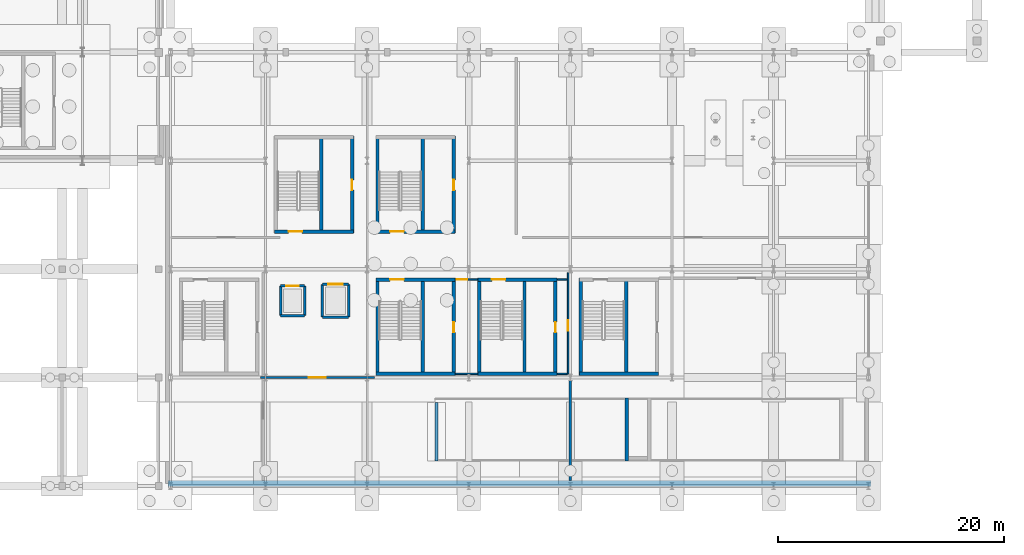
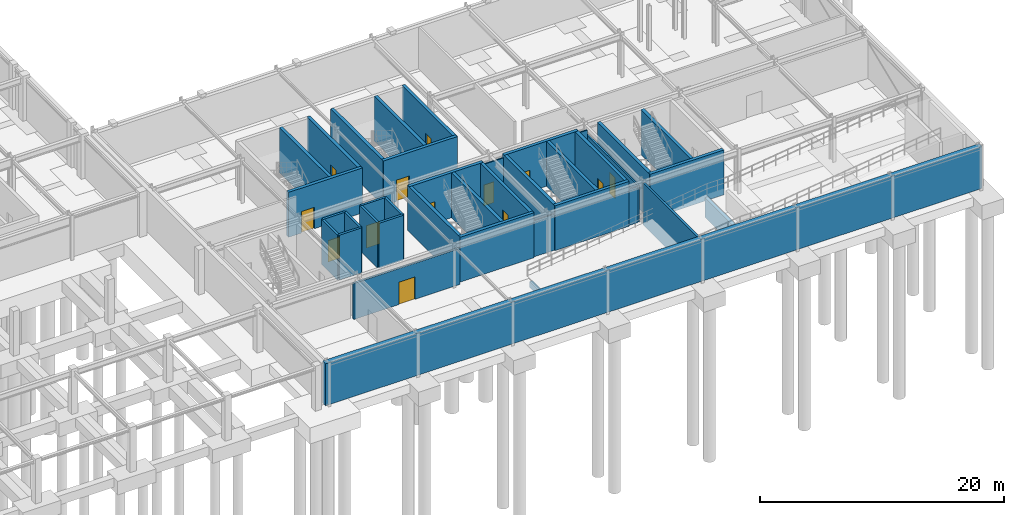
# One storey, part 43 of 59: 38 walls, 13 doors, 13 openings.
"""IFC4 building model written with IfcOpenShell, lengths in metres."""

from ifc_helpers import new_model, si_unit, direction, frame, frame_2d, origin, place, context, subcontext, project, spatial, rectangle, extrude, material, layer, layer_set, type_object, element, fill, save


model = new_model("IFC4")

# Units and contexts
model_context = context("Model", 3, precision=1e-05, world=origin(), true_north=direction((0.0, 1.0)))
body_context = subcontext(model_context, "Body", "Model", "MODEL_VIEW")
ifc_project = project(units=[si_unit("LENGTHUNIT", "METRE"), si_unit("AREAUNIT", "SQUARE_METRE"), si_unit("VOLUMEUNIT", "CUBIC_METRE"), si_unit("PLANEANGLEUNIT", "RADIAN"), si_unit("MASSUNIT", "GRAM", prefix="KILO")], contexts=[model_context])

# Site, building, storey
site_placement = place(None, origin())
site = spatial("IfcSite", under=ifc_project, at=site_placement, CompositionType="ELEMENT")
building_placement = place(site_placement, origin())
building = spatial("IfcBuilding", under=site, at=building_placement, Name="Myrtia Square Station", CompositionType="ELEMENT")
storey_placement = place(building_placement, frame((0.0, 0.0, -4.5)))
storey = spatial("IfcBuildingStorey", under=building, at=storey_placement, Name="B01", CompositionType="ELEMENT", Elevation=-4.5)

# Wall
ifc_material_1 = material(Name="Concrete C35/45", Category="concrete")
ifc_layer_1 = layer(ifc_material_1, 0.300048828125, Name="Concrete C35/45")
ifc_layer_set_1 = layer_set([ifc_layer_1], Name="Concrete C35/45")
wall_type_1 = type_object("IfcWallType", Name="WL-CORE-300", PredefinedType="SHEAR", material=ifc_layer_set_1)
wall_1_placement = place(storey_placement, frame((135.800048828125, 9.925048828125, 0.0), z_axis=(0.0, 0.0, 1.0), x_axis=(1.0, 0.0, 0.0)))
element("IfcWall", 1, at=wall_1_placement, inside=storey, type_object=wall_type_1, Name="Core K6 shear wall B01 S", PredefinedType="SHEAR", context=body_context, shape_type="SweptSolid", body=[
    extrude(rectangle(XDim=7.0, YDim=0.300048828125, at=frame_2d((3.5, 0.0))), origin(), (0.0, 0.0, 1.0), 4.5),
])

# Wall, opening, door
wall_2_placement = place(storey_placement, frame((135.800048828125, 18.27490234375, 0.0), z_axis=(0.0, 0.0, 1.0), x_axis=(1.0, 0.0, 0.0)))
wall_2 = element("IfcWall", 2, at=wall_2_placement, inside=storey, type_object=wall_type_1, Name="Core K6 shear wall B01 N", PredefinedType="SHEAR", context=body_context, shape_type="SweptSolid", body=[
    extrude(rectangle(XDim=7.0, YDim=0.300048828125, at=frame_2d((3.5, 0.0))), origin(), (0.0, 0.0, 1.0), 4.5),
])
opening_1_placement = place(wall_2_placement, frame((1.25, 0.0, 0.0)))
opening_1 = element("IfcOpeningElement", 3, at=opening_1_placement, cuts=wall_2, Name="Opening SD-061", PredefinedType="OPENING", context=body_context, shape_type="SweptSolid", body=[
    extrude(rectangle(XDim=1.199951171875, YDim=2.14990234375, at=frame_2d((0.60009765625, 1.074951171875))), frame((0.0, 0.1650390625, 0.0), z_axis=(0.0, -1.0, 0.0), x_axis=(1.0, 0.0, 0.0)), (0.0, 0.0, 1.0), 0.330078125),
])
ifc_material_2 = material(Name="Dark bronze anodised aluminium", Category="aluminium")
door_type_1 = type_object("IfcDoorType", Name="DR-STAIR-1200x2150", OperationType="NOTDEFINED", PredefinedType="DOOR", material=ifc_material_2)
door_1_placement = place(opening_1_placement, frame((1.199951171875, 0.0, 0.0), z_axis=(0.0, 0.0, 1.0), x_axis=(-1.0, 0.0, 0.0)))
door_1 = element("IfcDoor", 4, at=door_1_placement, inside=storey, type_object=door_type_1, Name="Protected stair fire door K6 B01", OperationType="SINGLE_SWING_LEFT", OverallHeight=2.14990234375, OverallWidth=1.199951171875, PredefinedType="DOOR", context=body_context, shape_type="SweptSolid", body=[
    extrude(rectangle(XDim=1.199951171875, YDim=2.14990234375, at=frame_2d((0.60009765625, 1.074951171875))), frame((0.0, 0.02490234375, 0.0), z_axis=(0.0, -1.0, 0.0), x_axis=(1.0, 0.0, 0.0)), (0.0, 0.0, 1.0), 0.050048828125),
])
fill(opening_1, door_1)

# Wall
wall_3_placement = place(storey_placement, frame((135.925048828125, 9.800048828125, 0.0), z_axis=(0.0, 0.0, 1.0), x_axis=(0.0, 1.0, 0.0)))
element("IfcWall", 5, at=wall_3_placement, inside=storey, type_object=wall_type_1, Name="Core K6 shear wall B01 W", PredefinedType="SHEAR", context=body_context, shape_type="SweptSolid", body=[
    extrude(rectangle(XDim=8.599853515625, YDim=0.300048828125, at=frame_2d((4.2998046875, 0.0))), origin(), (0.0, 0.0, 1.0), 4.5),
])

# Wall, opening, door
wall_4_placement = place(storey_placement, frame((142.675048828125, 9.800048828125, 0.0), z_axis=(0.0, 0.0, 1.0), x_axis=(0.0, 1.0, 0.0)))
wall_4 = element("IfcWall", 6, at=wall_4_placement, inside=storey, type_object=wall_type_1, Name="Core K6 shear wall B01 E", PredefinedType="SHEAR", context=body_context, shape_type="SweptSolid", body=[
    extrude(rectangle(XDim=8.599853515625, YDim=0.300048828125, at=frame_2d((4.2998046875, 0.0))), origin(), (0.0, 0.0, 1.0), 4.5),
])
opening_2_placement = place(wall_4_placement, frame((3.800048828125, 0.0, 0.0)))
opening_2 = element("IfcOpeningElement", 7, at=opening_2_placement, cuts=wall_4, Name="Opening RD-062", PredefinedType="OPENING", context=body_context, shape_type="SweptSolid", body=[
    extrude(rectangle(XDim=0.89990234375, YDim=2.050048828125, at=frame_2d((0.449951171875, 1.02490234375))), frame((0.0, 0.1650390625, 0.0), z_axis=(0.0, -1.0, 0.0), x_axis=(1.0, 0.0, 0.0)), (0.0, 0.0, 1.0), 0.330078125),
])
door_type_2 = type_object("IfcDoorType", Name="DR-RISER-900x2050", OperationType="NOTDEFINED", PredefinedType="DOOR", material=ifc_material_2)
door_2_placement = place(opening_2_placement, origin())
door_2 = element("IfcDoor", 8, at=door_2_placement, inside=storey, type_object=door_type_2, Name="Riser cupboard access door K6 B01", OperationType="SINGLE_SWING_RIGHT", OverallHeight=2.050048828125, OverallWidth=0.89990234375, PredefinedType="DOOR", context=body_context, shape_type="SweptSolid", body=[
    extrude(rectangle(XDim=0.89990234375, YDim=2.050048828125, at=frame_2d((0.449951171875, 1.02490234375))), frame((0.0, 0.02490234375, 0.0), z_axis=(0.0, -1.0, 0.0), x_axis=(1.0, 0.0, 0.0)), (0.0, 0.0, 1.0), 0.050048828125),
])
fill(opening_2, door_2)

# Wall
wall_5_placement = place(storey_placement, frame((139.93994140625, 10.0, 0.0), z_axis=(0.0, 0.0, 1.0), x_axis=(0.0, 1.0, 0.0)))
element("IfcWall", 9, at=wall_5_placement, inside=storey, type_object=wall_type_1, Name="Core K6 shear wall B01 D", PredefinedType="SHEAR", context=body_context, shape_type="SweptSolid", body=[
    extrude(rectangle(XDim=8.199951171875, YDim=0.300048828125, at=frame_2d((4.10009765625, 0.0))), origin(), (0.0, 0.0, 1.0), 4.5),
])

# Wall, opening, door
wall_6_placement = place(storey_placement, frame((135.800048828125, 22.52490234375, 0.0), z_axis=(0.0, 0.0, 1.0), x_axis=(1.0, 0.0, 0.0)))
wall_6 = element("IfcWall", 10, at=wall_6_placement, inside=storey, type_object=wall_type_1, Name="Core K9 shear wall B01 S", PredefinedType="SHEAR", context=body_context, shape_type="SweptSolid", body=[
    extrude(rectangle(XDim=7.0, YDim=0.300048828125, at=frame_2d((3.5, 0.0))), origin(), (0.0, 0.0, 1.0), 4.5),
])
opening_3_placement = place(wall_6_placement, frame((1.25, 0.0, 0.0)))
opening_3 = element("IfcOpeningElement", 11, at=opening_3_placement, cuts=wall_6, Name="Opening SD-071", PredefinedType="OPENING", context=body_context, shape_type="SweptSolid", body=[
    extrude(rectangle(XDim=1.199951171875, YDim=2.14990234375, at=frame_2d((0.60009765625, 1.074951171875))), frame((0.0, 0.1650390625, 0.0), z_axis=(0.0, -1.0, 0.0), x_axis=(1.0, 0.0, 0.0)), (0.0, 0.0, 1.0), 0.330078125),
])
door_3_placement = place(opening_3_placement, origin())
door_3 = element("IfcDoor", 12, at=door_3_placement, inside=storey, type_object=door_type_1, Name="Protected stair fire door K9 B01", OperationType="SINGLE_SWING_LEFT", OverallHeight=2.14990234375, OverallWidth=1.199951171875, PredefinedType="DOOR", context=body_context, shape_type="SweptSolid", body=[
    extrude(rectangle(XDim=1.199951171875, YDim=2.14990234375, at=frame_2d((0.60009765625, 1.074951171875))), frame((0.0, 0.02490234375, 0.0), z_axis=(0.0, -1.0, 0.0), x_axis=(1.0, 0.0, 0.0)), (0.0, 0.0, 1.0), 0.050048828125),
])
fill(opening_3, door_3)

# Wall
wall_7_placement = place(storey_placement, frame((135.925048828125, 22.39990234375, 0.0), z_axis=(0.0, 0.0, 1.0), x_axis=(0.0, 1.0, 0.0)))
element("IfcWall", 13, at=wall_7_placement, inside=storey, type_object=wall_type_1, Name="Core K9 shear wall B01 W", PredefinedType="SHEAR", context=body_context, shape_type="SweptSolid", body=[
    extrude(rectangle(XDim=8.60009765625, YDim=0.300048828125, at=frame_2d((4.300048828125, 0.0))), origin(), (0.0, 0.0, 1.0), 4.5),
])

# Wall, opening, door
wall_8_placement = place(storey_placement, frame((142.675048828125, 22.39990234375, 0.0), z_axis=(0.0, 0.0, 1.0), x_axis=(0.0, 1.0, 0.0)))
wall_8 = element("IfcWall", 14, at=wall_8_placement, inside=storey, type_object=wall_type_1, Name="Core K9 shear wall B01 E", PredefinedType="SHEAR", context=body_context, shape_type="SweptSolid", body=[
    extrude(rectangle(XDim=8.60009765625, YDim=0.300048828125, at=frame_2d((4.300048828125, 0.0))), origin(), (0.0, 0.0, 1.0), 4.5),
])
opening_4_placement = place(wall_8_placement, frame((3.800048828125, 0.0, 0.0)))
opening_4 = element("IfcOpeningElement", 15, at=opening_4_placement, cuts=wall_8, Name="Opening RD-072", PredefinedType="OPENING", context=body_context, shape_type="SweptSolid", body=[
    extrude(rectangle(XDim=0.89990234375, YDim=2.050048828125, at=frame_2d((0.449951171875, 1.02490234375))), frame((0.0, 0.1650390625, 0.0), z_axis=(0.0, -1.0, 0.0), x_axis=(1.0, 0.0, 0.0)), (0.0, 0.0, 1.0), 0.330078125),
])
door_4_placement = place(opening_4_placement, origin())
door_4 = element("IfcDoor", 16, at=door_4_placement, inside=storey, type_object=door_type_2, Name="Riser cupboard access door K9 B01", OperationType="SINGLE_SWING_RIGHT", OverallHeight=2.050048828125, OverallWidth=0.89990234375, PredefinedType="DOOR", context=body_context, shape_type="SweptSolid", body=[
    extrude(rectangle(XDim=0.89990234375, YDim=2.050048828125, at=frame_2d((0.449951171875, 1.02490234375))), frame((0.0, 0.02490234375, 0.0), z_axis=(0.0, -1.0, 0.0), x_axis=(1.0, 0.0, 0.0)), (0.0, 0.0, 1.0), 0.050048828125),
])
fill(opening_4, door_4)

# Wall
wall_9_placement = place(storey_placement, frame((139.93994140625, 22.60009765625, 0.0), z_axis=(0.0, 0.0, 1.0), x_axis=(0.0, 1.0, 0.0)))
element("IfcWall", 17, at=wall_9_placement, inside=storey, type_object=wall_type_1, Name="Core K9 shear wall B01 D", PredefinedType="SHEAR", context=body_context, shape_type="SweptSolid", body=[
    extrude(rectangle(XDim=8.199951171875, YDim=0.300048828125, at=frame_2d((4.10009765625, 0.0))), origin(), (0.0, 0.0, 1.0), 4.5),
])

# Wall, opening, door
wall_10_placement = place(storey_placement, frame((126.800048828125, 22.52490234375, 0.0), z_axis=(0.0, 0.0, 1.0), x_axis=(1.0, 0.0, 0.0)))
wall_10 = element("IfcWall", 18, at=wall_10_placement, inside=storey, type_object=wall_type_1, Name="Core K10 shear wall B01 S", PredefinedType="SHEAR", context=body_context, shape_type="SweptSolid", body=[
    extrude(rectangle(XDim=7.0, YDim=0.300048828125, at=frame_2d((3.5, 0.0))), origin(), (0.0, 0.0, 1.0), 4.5),
])
opening_5_placement = place(wall_10_placement, frame((1.25, 0.0, 0.0)))
opening_5 = element("IfcOpeningElement", 19, at=opening_5_placement, cuts=wall_10, Name="Opening SD-081", PredefinedType="OPENING", context=body_context, shape_type="SweptSolid", body=[
    extrude(rectangle(XDim=1.199951171875, YDim=2.14990234375, at=frame_2d((0.60009765625, 1.074951171875))), frame((0.0, 0.1650390625, 0.0), z_axis=(0.0, -1.0, 0.0), x_axis=(1.0, 0.0, 0.0)), (0.0, 0.0, 1.0), 0.330078125),
])
door_5_placement = place(opening_5_placement, origin())
door_5 = element("IfcDoor", 20, at=door_5_placement, inside=storey, type_object=door_type_1, Name="Protected stair fire door K10 B01", OperationType="SINGLE_SWING_LEFT", OverallHeight=2.14990234375, OverallWidth=1.199951171875, PredefinedType="DOOR", context=body_context, shape_type="SweptSolid", body=[
    extrude(rectangle(XDim=1.199951171875, YDim=2.14990234375, at=frame_2d((0.60009765625, 1.074951171875))), frame((0.0, 0.02490234375, 0.0), z_axis=(0.0, -1.0, 0.0), x_axis=(1.0, 0.0, 0.0)), (0.0, 0.0, 1.0), 0.050048828125),
])
fill(opening_5, door_5)

wall_11_placement = place(storey_placement, frame((133.675048828125, 22.39990234375, 0.0), z_axis=(0.0, 0.0, 1.0), x_axis=(0.0, 1.0, 0.0)))
wall_11 = element("IfcWall", 21, at=wall_11_placement, inside=storey, type_object=wall_type_1, Name="Core K10 shear wall B01 E", PredefinedType="SHEAR", context=body_context, shape_type="SweptSolid", body=[
    extrude(rectangle(XDim=8.60009765625, YDim=0.300048828125, at=frame_2d((4.300048828125, 0.0))), origin(), (0.0, 0.0, 1.0), 4.5),
])
opening_6_placement = place(wall_11_placement, frame((3.800048828125, 0.0, 0.0)))
opening_6 = element("IfcOpeningElement", 22, at=opening_6_placement, cuts=wall_11, Name="Opening RD-082", PredefinedType="OPENING", context=body_context, shape_type="SweptSolid", body=[
    extrude(rectangle(XDim=0.89990234375, YDim=2.050048828125, at=frame_2d((0.449951171875, 1.02490234375))), frame((0.0, 0.1650390625, 0.0), z_axis=(0.0, -1.0, 0.0), x_axis=(1.0, 0.0, 0.0)), (0.0, 0.0, 1.0), 0.330078125),
])
door_6_placement = place(opening_6_placement, origin())
door_6 = element("IfcDoor", 23, at=door_6_placement, inside=storey, type_object=door_type_2, Name="Riser cupboard access door K10 B01", OperationType="SINGLE_SWING_RIGHT", OverallHeight=2.050048828125, OverallWidth=0.89990234375, PredefinedType="DOOR", context=body_context, shape_type="SweptSolid", body=[
    extrude(rectangle(XDim=0.89990234375, YDim=2.050048828125, at=frame_2d((0.449951171875, 1.02490234375))), frame((0.0, 0.02490234375, 0.0), z_axis=(0.0, -1.0, 0.0), x_axis=(1.0, 0.0, 0.0)), (0.0, 0.0, 1.0), 0.050048828125),
])
fill(opening_6, door_6)

# Walls
wall_12_placement = place(storey_placement, frame((130.93994140625, 22.60009765625, 0.0), z_axis=(0.0, 0.0, 1.0), x_axis=(0.0, 1.0, 0.0)))
element("IfcWall", 24, at=wall_12_placement, inside=storey, type_object=wall_type_1, Name="Core K10 shear wall B01 D", PredefinedType="SHEAR", context=body_context, shape_type="SweptSolid", body=[
    extrude(rectangle(XDim=8.199951171875, YDim=0.300048828125, at=frame_2d((4.10009765625, 0.0))), origin(), (0.0, 0.0, 1.0), 4.5),
])
wall_13_placement = place(storey_placement, frame((144.800048828125, 9.925048828125, 0.0), z_axis=(0.0, 0.0, 1.0), x_axis=(1.0, 0.0, 0.0)))
element("IfcWall", 25, at=wall_13_placement, inside=storey, type_object=wall_type_1, Name="Core K11 shear wall B01 S", PredefinedType="SHEAR", context=body_context, shape_type="SweptSolid", body=[
    extrude(rectangle(XDim=7.0, YDim=0.300048828125, at=frame_2d((3.5, 0.0))), origin(), (0.0, 0.0, 1.0), 4.5),
])

# Wall, opening, door
wall_14_placement = place(storey_placement, frame((144.800048828125, 18.27490234375, 0.0), z_axis=(0.0, 0.0, 1.0), x_axis=(1.0, 0.0, 0.0)))
wall_14 = element("IfcWall", 26, at=wall_14_placement, inside=storey, type_object=wall_type_1, Name="Core K11 shear wall B01 N", PredefinedType="SHEAR", context=body_context, shape_type="SweptSolid", body=[
    extrude(rectangle(XDim=7.0, YDim=0.300048828125, at=frame_2d((3.5, 0.0))), origin(), (0.0, 0.0, 1.0), 4.5),
])
opening_7_placement = place(wall_14_placement, frame((1.25, 0.0, 0.0)))
opening_7 = element("IfcOpeningElement", 27, at=opening_7_placement, cuts=wall_14, Name="Opening SD-091", PredefinedType="OPENING", context=body_context, shape_type="SweptSolid", body=[
    extrude(rectangle(XDim=1.199951171875, YDim=2.14990234375, at=frame_2d((0.60009765625, 1.074951171875))), frame((0.0, 0.1650390625, 0.0), z_axis=(0.0, -1.0, 0.0), x_axis=(1.0, 0.0, 0.0)), (0.0, 0.0, 1.0), 0.330078125),
])
door_7_placement = place(opening_7_placement, frame((1.199951171875, 0.0, 0.0), z_axis=(0.0, 0.0, 1.0), x_axis=(-1.0, 0.0, 0.0)))
door_7 = element("IfcDoor", 28, at=door_7_placement, inside=storey, type_object=door_type_1, Name="Protected stair fire door K11 B01", OperationType="SINGLE_SWING_LEFT", OverallHeight=2.14990234375, OverallWidth=1.199951171875, PredefinedType="DOOR", context=body_context, shape_type="SweptSolid", body=[
    extrude(rectangle(XDim=1.199951171875, YDim=2.14990234375, at=frame_2d((0.60009765625, 1.074951171875))), frame((0.0, 0.02490234375, 0.0), z_axis=(0.0, -1.0, 0.0), x_axis=(1.0, 0.0, 0.0)), (0.0, 0.0, 1.0), 0.050048828125),
])
fill(opening_7, door_7)

# Wall
wall_15_placement = place(storey_placement, frame((144.925048828125, 9.800048828125, 0.0), z_axis=(0.0, 0.0, 1.0), x_axis=(0.0, 1.0, 0.0)))
element("IfcWall", 29, at=wall_15_placement, inside=storey, type_object=wall_type_1, Name="Core K11 shear wall B01 W", PredefinedType="SHEAR", context=body_context, shape_type="SweptSolid", body=[
    extrude(rectangle(XDim=8.599853515625, YDim=0.300048828125, at=frame_2d((4.2998046875, 0.0))), origin(), (0.0, 0.0, 1.0), 4.5),
])

# Wall, opening, door
wall_16_placement = place(storey_placement, frame((151.675048828125, 9.800048828125, 0.0), z_axis=(0.0, 0.0, 1.0), x_axis=(0.0, 1.0, 0.0)))
wall_16 = element("IfcWall", 30, at=wall_16_placement, inside=storey, type_object=wall_type_1, Name="Core K11 shear wall B01 E", PredefinedType="SHEAR", context=body_context, shape_type="SweptSolid", body=[
    extrude(rectangle(XDim=8.599853515625, YDim=0.300048828125, at=frame_2d((4.2998046875, 0.0))), origin(), (0.0, 0.0, 1.0), 4.5),
])
opening_8_placement = place(wall_16_placement, frame((3.800048828125, 0.0, 0.0)))
opening_8 = element("IfcOpeningElement", 31, at=opening_8_placement, cuts=wall_16, Name="Opening RD-092", PredefinedType="OPENING", context=body_context, shape_type="SweptSolid", body=[
    extrude(rectangle(XDim=0.89990234375, YDim=2.050048828125, at=frame_2d((0.449951171875, 1.02490234375))), frame((0.0, 0.1650390625, 0.0), z_axis=(0.0, -1.0, 0.0), x_axis=(1.0, 0.0, 0.0)), (0.0, 0.0, 1.0), 0.330078125),
])
door_8_placement = place(opening_8_placement, origin())
door_8 = element("IfcDoor", 32, at=door_8_placement, inside=storey, type_object=door_type_2, Name="Riser cupboard access door K11 B01", OperationType="SINGLE_SWING_RIGHT", OverallHeight=2.050048828125, OverallWidth=0.89990234375, PredefinedType="DOOR", context=body_context, shape_type="SweptSolid", body=[
    extrude(rectangle(XDim=0.89990234375, YDim=2.050048828125, at=frame_2d((0.449951171875, 1.02490234375))), frame((0.0, 0.02490234375, 0.0), z_axis=(0.0, -1.0, 0.0), x_axis=(1.0, 0.0, 0.0)), (0.0, 0.0, 1.0), 0.050048828125),
])
fill(opening_8, door_8)

# Walls
wall_17_placement = place(storey_placement, frame((148.93994140625, 10.0, 0.0), z_axis=(0.0, 0.0, 1.0), x_axis=(0.0, 1.0, 0.0)))
element("IfcWall", 33, at=wall_17_placement, inside=storey, type_object=wall_type_1, Name="Core K11 shear wall B01 D", PredefinedType="SHEAR", context=body_context, shape_type="SweptSolid", body=[
    extrude(rectangle(XDim=8.199951171875, YDim=0.300048828125, at=frame_2d((4.10009765625, 0.0))), origin(), (0.0, 0.0, 1.0), 4.5),
])
wall_18_placement = place(storey_placement, frame((153.800048828125, 9.925048828125, 0.0), z_axis=(0.0, 0.0, 1.0), x_axis=(1.0, 0.0, 0.0)))
element("IfcWall", 34, at=wall_18_placement, inside=storey, type_object=wall_type_1, Name="Core K14 shear wall B01 S", PredefinedType="SHEAR", context=body_context, shape_type="SweptSolid", body=[
    extrude(rectangle(XDim=7.0, YDim=0.300048828125, at=frame_2d((3.5, 0.0))), origin(), (0.0, 0.0, 1.0), 4.5),
])
wall_19_placement = place(storey_placement, frame((153.925048828125, 9.800048828125, 0.0), z_axis=(0.0, 0.0, 1.0), x_axis=(0.0, 1.0, 0.0)))
element("IfcWall", 35, at=wall_19_placement, inside=storey, type_object=wall_type_1, Name="Core K14 shear wall B01 W", PredefinedType="SHEAR", context=body_context, shape_type="SweptSolid", body=[
    extrude(rectangle(XDim=8.599853515625, YDim=0.300048828125, at=frame_2d((4.2998046875, 0.0))), origin(), (0.0, 0.0, 1.0), 4.5),
])
wall_20_placement = place(storey_placement, frame((157.93994140625, 10.0, 0.0), z_axis=(0.0, 0.0, 1.0), x_axis=(0.0, 1.0, 0.0)))
element("IfcWall", 36, at=wall_20_placement, inside=storey, type_object=wall_type_1, Name="Core K14 shear wall B01 D", PredefinedType="SHEAR", context=body_context, shape_type="SweptSolid", body=[
    extrude(rectangle(XDim=8.199951171875, YDim=0.300048828125, at=frame_2d((4.10009765625, 0.0))), origin(), (0.0, 0.0, 1.0), 4.5),
])
wall_21_placement = place(storey_placement, frame((141.14990234375, 2.199951171875, -0.89990234375), z_axis=(0.0, 0.0, 1.0), x_axis=(0.0, 1.0, 0.0)))
element("IfcWall", 37, at=wall_21_placement, inside=storey, type_object=wall_type_1, Name="Vehicle ramp VR1 toe support wall", PredefinedType="SHEAR", context=body_context, shape_type="SweptSolid", body=[
    extrude(rectangle(XDim=5.199951171875, YDim=0.300048828125, at=frame_2d((2.60009765625, 0.0))), origin(), (0.0, 0.0, 1.0), 0.599853515625),
])
wall_22_placement = place(storey_placement, frame((158.0, 2.199951171875, 0.0), z_axis=(0.0, 0.0, 1.0), x_axis=(0.0, 1.0, 0.0)))
element("IfcWall", 38, at=wall_22_placement, inside=storey, type_object=wall_type_1, Name="Vehicle ramp VR1 support wall 1", PredefinedType="SHEAR", context=body_context, shape_type="SweptSolid", body=[
    extrude(rectangle(XDim=5.60009765625, YDim=0.300048828125, at=frame_2d((2.800048828125, 0.0))), origin(), (0.0, 0.0, 1.0), 1.949951171875),
])
ifc_layer_2 = layer(ifc_material_1, 0.219970703125, Name="Concrete C35/45")
ifc_layer_set_2 = layer_set([ifc_layer_2], Name="Concrete C35/45")
wall_type_2 = type_object("IfcWallType", Name="WL-LIFT-220", PredefinedType="SHEAR", material=ifc_layer_set_2)
wall_23_placement = place(storey_placement, frame((127.340087890625, 15.090087890625, 0.0), z_axis=(0.0, 0.0, 1.0), x_axis=(1.0, 0.0, 0.0)))
element("IfcWall", 39, at=wall_23_placement, inside=storey, type_object=wall_type_2, Name="Lift shaft wall PL-07 B01 -Y", PredefinedType="SHEAR", context=body_context, shape_type="SweptSolid", body=[
    extrude(rectangle(XDim=2.119873046875, YDim=0.219970703125, at=frame_2d((1.06005859375, 0.0))), origin(), (0.0, 0.0, 1.0), 4.5),
])

# Wall, opening, door
wall_24_placement = place(storey_placement, frame((127.340087890625, 17.7099609375, 0.0), z_axis=(0.0, 0.0, 1.0), x_axis=(1.0, 0.0, 0.0)))
wall_24 = element("IfcWall", 40, at=wall_24_placement, inside=storey, type_object=wall_type_2, Name="Lift shaft wall PL-07 B01 +Y", PredefinedType="SHEAR", context=body_context, shape_type="SweptSolid", body=[
    extrude(rectangle(XDim=2.119873046875, YDim=0.219970703125, at=frame_2d((1.06005859375, 0.0))), origin(), (0.0, 0.0, 1.0), 4.5),
])
opening_9_placement = place(wall_24_placement, frame((0.510009765625, 0.0, 0.0)))
opening_9 = element("IfcOpeningElement", 41, at=opening_9_placement, cuts=wall_24, Name="Opening LD-PL-07", PredefinedType="OPENING", context=body_context, shape_type="SweptSolid", body=[
    extrude(rectangle(XDim=1.10009765625, YDim=2.14990234375, at=frame_2d((0.550048828125, 1.074951171875))), frame((0.0, 0.125, 0.0), z_axis=(0.0, -1.0, 0.0), x_axis=(1.0, 0.0, 0.0)), (0.0, 0.0, 1.0), 0.25),
])
door_type_3 = type_object("IfcDoorType", Name="DR-LIFT-1100x2150", OperationType="NOTDEFINED", PredefinedType="DOOR", material=ifc_material_2)
door_9_placement = place(opening_9_placement, origin())
door_9 = element("IfcDoor", 42, at=door_9_placement, inside=storey, type_object=door_type_3, Name="Lift landing door PL-07 B01", OperationType="SLIDING_TO_LEFT", OverallHeight=2.14990234375, OverallWidth=1.10009765625, PredefinedType="DOOR", context=body_context, shape_type="SweptSolid", body=[
    extrude(rectangle(XDim=1.10009765625, YDim=2.14990234375, at=frame_2d((0.550048828125, 1.074951171875))), frame((0.0, 0.02490234375, 0.0), z_axis=(0.0, -1.0, 0.0), x_axis=(1.0, 0.0, 0.0)), (0.0, 0.0, 1.0), 0.050048828125),
])
fill(opening_9, door_9)

# Walls
for number, where, z_axis, x_axis, name in (
    (43, (127.340087890625, 15.090087890625, 0.0), (0.0, 0.0, 1.0), (0.0, 1.0, 0.0), "Lift shaft wall PL-07 B01 -X"),
    (44, (129.4599609375, 15.090087890625, 0.0), (0.0, 0.0, 1.0), (0.0, 1.0, 0.0), "Lift shaft wall PL-07 B01 +X"),
):
    element("IfcWall", number, at=place(storey_placement, frame(where, z_axis=z_axis, x_axis=x_axis)), inside=storey, type_object=wall_type_2, Name=name, PredefinedType="SHEAR", context=body_context, shape_type="SweptSolid", body=[
        extrude(rectangle(XDim=2.619873046875, YDim=0.219970703125, at=frame_2d((1.31005859375, 0.0))), origin(), (0.0, 0.0, 1.0), 4.5),
    ])
wall_25_placement = place(storey_placement, frame((131.0400390625, 14.93994140625, 0.0), z_axis=(0.0, 0.0, 1.0), x_axis=(1.0, 0.0, 0.0)))
element("IfcWall", 45, at=wall_25_placement, inside=storey, type_object=wall_type_2, Name="Lift shaft wall GL-02 B01 -Y", PredefinedType="SHEAR", context=body_context, shape_type="SweptSolid", body=[
    extrude(rectangle(XDim=2.320068359375, YDim=0.219970703125, at=frame_2d((1.16015625, 0.0))), origin(), (0.0, 0.0, 1.0), 4.5),
])

# Wall, opening, door
wall_26_placement = place(storey_placement, frame((131.0400390625, 17.860107421875, 0.0), z_axis=(0.0, 0.0, 1.0), x_axis=(1.0, 0.0, 0.0)))
wall_26 = element("IfcWall", 46, at=wall_26_placement, inside=storey, type_object=wall_type_2, Name="Lift shaft wall GL-02 B01 +Y", PredefinedType="SHEAR", context=body_context, shape_type="SweptSolid", body=[
    extrude(rectangle(XDim=2.320068359375, YDim=0.219970703125, at=frame_2d((1.16015625, 0.0))), origin(), (0.0, 0.0, 1.0), 4.5),
])
opening_10_placement = place(wall_26_placement, frame((0.510009765625, 0.0, 0.0)))
opening_10 = element("IfcOpeningElement", 47, at=opening_10_placement, cuts=wall_26, Name="Opening LD-GL-02", PredefinedType="OPENING", context=body_context, shape_type="SweptSolid", body=[
    extrude(rectangle(XDim=1.300048828125, YDim=2.25, at=frame_2d((0.64990234375, 1.125))), frame((0.0, 0.125, 0.0), z_axis=(0.0, -1.0, 0.0), x_axis=(1.0, 0.0, 0.0)), (0.0, 0.0, 1.0), 0.25),
])
door_type_4 = type_object("IfcDoorType", Name="DR-LIFT-1300x2250", OperationType="NOTDEFINED", PredefinedType="DOOR", material=ifc_material_2)
door_10_placement = place(opening_10_placement, origin())
door_10 = element("IfcDoor", 48, at=door_10_placement, inside=storey, type_object=door_type_4, Name="Lift landing door GL-02 B01", OperationType="SLIDING_TO_RIGHT", OverallHeight=2.25, OverallWidth=1.300048828125, PredefinedType="DOOR", context=body_context, shape_type="SweptSolid", body=[
    extrude(rectangle(XDim=1.300048828125, YDim=2.25, at=frame_2d((0.64990234375, 1.125))), frame((0.0, 0.02490234375, 0.0), z_axis=(0.0, -1.0, 0.0), x_axis=(1.0, 0.0, 0.0)), (0.0, 0.0, 1.0), 0.050048828125),
])
fill(opening_10, door_10)

# Walls
for number, where, z_axis, x_axis, name in (
    (49, (131.0400390625, 14.93994140625, 0.0), (0.0, 0.0, 1.0), (0.0, 1.0, 0.0), "Lift shaft wall GL-02 B01 -X"),
    (50, (133.360107421875, 14.93994140625, 0.0), (0.0, 0.0, 1.0), (0.0, 1.0, 0.0), "Lift shaft wall GL-02 B01 +X"),
):
    element("IfcWall", number, at=place(storey_placement, frame(where, z_axis=z_axis, x_axis=x_axis)), inside=storey, type_object=wall_type_2, Name=name, PredefinedType="SHEAR", context=body_context, shape_type="SweptSolid", body=[
        extrude(rectangle(XDim=2.920166015625, YDim=0.219970703125, at=frame_2d((1.4599609375, 0.0))), origin(), (0.0, 0.0, 1.0), 4.5),
    ])

# Wall, opening, door
ifc_material_3 = material(Name="Gypsum plasterboard")
ifc_layer_3 = layer(ifc_material_3, 0.125, Name="Gypsum plasterboard")
ifc_layer_set_3 = layer_set([ifc_layer_3], Name="Gypsum plasterboard")
wall_type_3 = type_object("IfcWallType", Name="WL-PART-125", PredefinedType="PARTITIONING", material=ifc_layer_set_3)
wall_27_placement = place(storey_placement, frame((142.840087890625, 18.27001953125, 0.0), z_axis=(0.0, 0.0, 1.0), x_axis=(1.0, 0.0, 0.0)))
wall_27 = element("IfcWall", 51, at=wall_27_placement, inside=storey, type_object=wall_type_3, Name="Sanitary enclosure partition B01-10", PredefinedType="PARTITIONING", context=body_context, shape_type="SweptSolid", body=[
    extrude(rectangle(XDim=1.929931640625, YDim=0.125, at=frame_2d((0.96484375, 0.0))), origin(), (0.0, 0.0, 1.0), 4.199951171875),
])
opening_11_placement = place(wall_27_placement, frame((0.10009765625, 0.0, 0.0)))
opening_11 = element("IfcOpeningElement", 52, at=opening_11_placement, cuts=wall_27, Name="Opening D-286", PredefinedType="OPENING", context=body_context, shape_type="SweptSolid", body=[
    extrude(rectangle(XDim=0.949951171875, YDim=2.10009765625, at=frame_2d((0.47509765625, 1.050048828125))), frame((0.0, 0.077392578125, 0.0), z_axis=(0.0, -1.0, 0.0), x_axis=(1.0, 0.0, 0.0)), (0.0, 0.0, 1.0), 0.155029296875),
])
ifc_material_4 = material(Name="Acoustic European oak timber", Category="wood")
door_type_5 = type_object("IfcDoorType", Name="DR-WC-950x2100", OperationType="NOTDEFINED", PredefinedType="DOOR", material=ifc_material_4)
door_11_placement = place(opening_11_placement, origin())
door_11 = element("IfcDoor", 53, at=door_11_placement, inside=storey, type_object=door_type_5, Name="Logistics Staff Accessible WC door D-286", OperationType="SINGLE_SWING_LEFT", OverallHeight=2.10009765625, OverallWidth=0.949951171875, PredefinedType="DOOR", context=body_context, shape_type="SweptSolid", body=[
    extrude(rectangle(XDim=0.949951171875, YDim=2.10009765625, at=frame_2d((0.47509765625, 1.050048828125))), frame((0.0, 0.02490234375, 0.0), z_axis=(0.0, -1.0, 0.0), x_axis=(1.0, 0.0, 0.0)), (0.0, 0.0, 1.0), 0.050048828125),
])
fill(opening_11, door_11)

# Walls
wall_28_placement = place(storey_placement, frame((142.840087890625, 9.929931640625, 0.0), z_axis=(0.0, 0.0, 1.0), x_axis=(1.0, 0.0, 0.0)))
element("IfcWall", 54, at=wall_28_placement, inside=storey, type_object=wall_type_3, Name="Sanitary enclosure partition B01-10", PredefinedType="PARTITIONING", context=body_context, shape_type="SweptSolid", body=[
    extrude(rectangle(XDim=1.929931640625, YDim=0.125, at=frame_2d((0.96484375, 0.0))), origin(), (0.0, 0.0, 1.0), 3.610107421875),
])
wall_29_placement = place(storey_placement, frame((151.840087890625, 18.27001953125, 0.0), z_axis=(0.0, 0.0, 1.0), x_axis=(1.0, 0.0, 0.0)))
element("IfcWall", 55, at=wall_29_placement, inside=storey, type_object=wall_type_3, Name="Sanitary enclosure partition B01-10", PredefinedType="PARTITIONING", context=body_context, shape_type="SweptSolid", body=[
    extrude(rectangle(XDim=0.8798828125, YDim=0.125, at=frame_2d((0.43994140625, 0.0))), origin(), (0.0, 0.0, 1.0), 4.199951171875),
])
wall_30_placement = place(storey_placement, frame((151.840087890625, 9.929931640625, 0.0), z_axis=(0.0, 0.0, 1.0), x_axis=(1.0, 0.0, 0.0)))
element("IfcWall", 56, at=wall_30_placement, inside=storey, type_object=wall_type_3, Name="Sanitary enclosure partition B01-10", PredefinedType="PARTITIONING", context=body_context, shape_type="SweptSolid", body=[
    extrude(rectangle(XDim=0.8798828125, YDim=0.125, at=frame_2d((0.43994140625, 0.0))), origin(), (0.0, 0.0, 1.0), 3.610107421875),
])

# Wall, opening, door
ifc_layer_4 = layer(ifc_material_3, 0.14990234375, Name="Gypsum plasterboard")
ifc_layer_set_4 = layer_set([ifc_layer_4], Name="Gypsum plasterboard")
wall_type_4 = type_object("IfcWallType", Name="WL-PART-150", PredefinedType="PARTITIONING", material=ifc_layer_set_4)
wall_31_placement = place(storey_placement, frame((152.800048828125, 9.905029296875, 0.0), z_axis=(0.0, 0.0, 1.0), x_axis=(0.0, 1.0, 0.0)))
wall_31 = element("IfcWall", 57, at=wall_31_placement, inside=storey, type_object=wall_type_4, Name="Interior partition wall B01-10", PredefinedType="PARTITIONING", context=body_context, shape_type="SweptSolid", body=[
    extrude(rectangle(XDim=8.989990234375, YDim=0.14990234375, at=frame_2d((4.4951171875, 0.0))), origin(), (0.0, 0.0, 1.0), 3.659912109375),
])
opening_12_placement = place(wall_31_placement, frame((3.820068359375, 0.0, 0.0)))
opening_12 = element("IfcOpeningElement", 58, at=opening_12_placement, cuts=wall_31, Name="Opening D-207", PredefinedType="OPENING", context=body_context, shape_type="SweptSolid", body=[
    extrude(rectangle(XDim=0.949951171875, YDim=2.10009765625, at=frame_2d((0.47509765625, 1.050048828125))), frame((0.0, 0.08984375, 0.0), z_axis=(0.0, -1.0, 0.0), x_axis=(1.0, 0.0, 0.0)), (0.0, 0.0, 1.0), 0.179931640625),
])
door_12_placement = place(opening_12_placement, frame((0.949951171875, 0.0, 0.0), z_axis=(0.0, 0.0, 1.0), x_axis=(-1.0, 0.0, 0.0)))
door_12 = element("IfcDoor", 59, at=door_12_placement, inside=storey, type_object=door_type_5, Name="Logistics Staff Accessible WC door D-207", OperationType="SINGLE_SWING_LEFT", OverallHeight=2.10009765625, OverallWidth=0.949951171875, PredefinedType="DOOR", context=body_context, shape_type="SweptSolid", body=[
    extrude(rectangle(XDim=0.949951171875, YDim=2.10009765625, at=frame_2d((0.47509765625, 1.050048828125))), frame((0.0, 0.02490234375, 0.0), z_axis=(0.0, -1.0, 0.0), x_axis=(1.0, 0.0, 0.0)), (0.0, 0.0, 1.0), 0.050048828125),
])
fill(opening_12, door_12)

ifc_material_5 = material(Name="Cream lime stucco on clay brick masonry", Category="masonry")
ifc_layer_5 = layer(ifc_material_5, 0.199951171875, Name="Cream lime stucco on clay brick masonry")
ifc_layer_set_5 = layer_set([ifc_layer_5], Name="Cream lime stucco on clay brick masonry")
wall_type_5 = type_object("IfcWallType", Name="WL-PART-200", PredefinedType="PARTITIONING", material=ifc_layer_set_5)
wall_32_placement = place(storey_placement, frame((125.56005859375, 9.60009765625, 0.0), z_axis=(0.0, 0.0, 1.0), x_axis=(1.0, 0.0, 0.0)))
wall_32 = element("IfcWall", 60, at=wall_32_placement, inside=storey, type_object=wall_type_5, Name="Interior partition wall B01-18", PredefinedType="PARTITIONING", context=body_context, shape_type="SweptSolid", body=[
    extrude(rectangle(XDim=10.079833984375, YDim=0.199951171875, at=frame_2d((5.0400390625, 0.0))), origin(), (0.0, 0.0, 1.0), 3.610107421875),
])
opening_13_placement = place(wall_32_placement, frame((4.2900390625, 0.0, 0.0)))
opening_13 = element("IfcOpeningElement", 61, at=opening_13_placement, cuts=wall_32, Name="Opening D-215", PredefinedType="OPENING", context=body_context, shape_type="SweptSolid", body=[
    extrude(rectangle(XDim=1.5, YDim=2.25, at=frame_2d((0.75, 1.125))), frame((0.0, 0.114990234375, 0.0), z_axis=(0.0, -1.0, 0.0), x_axis=(1.0, 0.0, 0.0)), (0.0, 0.0, 1.0), 0.22998046875),
])
door_type_6 = type_object("IfcDoorType", Name="DR-PLANT-1500x2250", OperationType="NOTDEFINED", PredefinedType="DOOR", material=ifc_material_2)
door_13_placement = place(opening_13_placement, origin())
door_13 = element("IfcDoor", 62, at=door_13_placement, inside=storey, type_object=door_type_6, Name="South Retail Bulk Goods Storage Room door D-215", OperationType="SINGLE_SWING_LEFT", OverallHeight=2.25, OverallWidth=1.5, PredefinedType="DOOR", context=body_context, shape_type="SweptSolid", body=[
    extrude(rectangle(XDim=1.5, YDim=2.25, at=frame_2d((0.75, 1.125))), frame((0.0, 0.02490234375, 0.0), z_axis=(0.0, -1.0, 0.0), x_axis=(1.0, 0.0, 0.0)), (0.0, 0.0, 1.0), 0.050048828125),
])
fill(opening_13, door_13)

# Walls
wall_33_placement = place(storey_placement, frame((153.0, 0.47509765625, 0.0), z_axis=(0.0, 0.0, 1.0), x_axis=(0.0, 1.0, 0.0)))
element("IfcWall", 63, at=wall_33_placement, inside=storey, type_object=wall_type_5, Name="Room divider partition B01-18", PredefinedType="PARTITIONING", context=body_context, shape_type="SweptSolid", body=[
    extrude(rectangle(XDim=8.875, YDim=0.199951171875, at=frame_2d((4.4375, 0.0))), origin(), (0.0, 0.0, 1.0), 4.199951171875),
])
ifc_layer_6 = layer(ifc_material_1, 0.5, Name="Concrete C35/45")
ifc_layer_set_6 = layer_set([ifc_layer_6], Name="Concrete C35/45")
wall_type_6 = type_object("IfcWallType", Name="WL-RET-500", PredefinedType="SHEAR", material=ifc_layer_set_6)
wall_34_placement = place(storey_placement, frame((117.3798828125, 0.219970703125, 0.0), z_axis=(0.0, 0.0, 1.0), x_axis=(1.0, 0.0, 0.0)))
element("IfcWall", 64, at=wall_34_placement, inside=storey, type_object=wall_type_6, Name="Basement retaining wall V4-05", PredefinedType="SHEAR", context=body_context, shape_type="SweptSolid", body=[
    extrude(rectangle(XDim=62.240234375, YDim=0.5, at=frame_2d((31.1201171875, 0.0))), origin(), (0.0, 0.0, 1.0), 4.199951171875),
])

save(model, "model.ifc")
